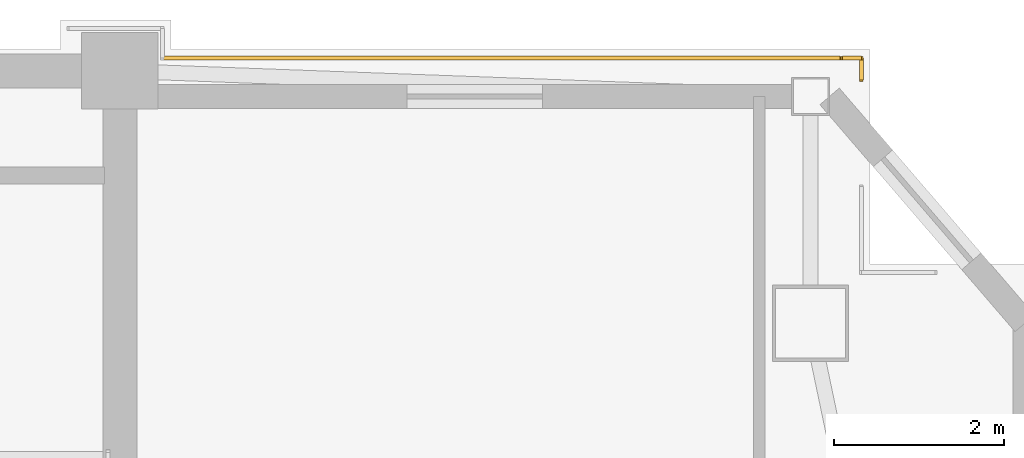
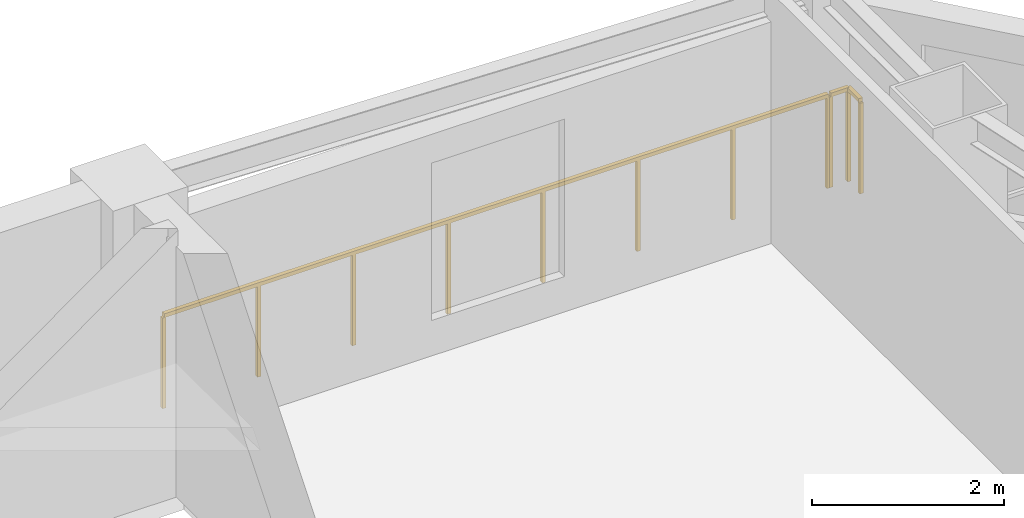
# One storey, part 16 of 16: 3 railings.
"""IFC4 building model written with IfcOpenShell, lengths in metres."""

from ifc_helpers import new_model, si_unit, direction, frame, origin, origin_2d, place, context, subcontext, project, spatial, rectangle, extrude, material, type_object, element, save


model = new_model("IFC4")

# Units and contexts
model_context = context("Model", 3, precision=1e-05, world=origin(), true_north=direction((0.0, 1.0)))
body_context = subcontext(model_context, "Body", "Model", "MODEL_VIEW")
ifc_project = project(units=[si_unit("LENGTHUNIT", "METRE"), si_unit("AREAUNIT", "SQUARE_METRE"), si_unit("VOLUMEUNIT", "CUBIC_METRE"), si_unit("PLANEANGLEUNIT", "RADIAN"), si_unit("MASSUNIT", "GRAM", prefix="KILO")], contexts=[model_context])

# Site, building, storey
site_placement = place(None, origin())
site = spatial("IfcSite", under=ifc_project, at=site_placement, CompositionType="ELEMENT")
building_placement = place(site_placement, origin())
building = spatial("IfcBuilding", under=site, at=building_placement, Name="Giltprow Tower", CompositionType="ELEMENT")
storey_placement = place(building_placement, frame((0.0, 0.0, 272.300048828125)))
storey = spatial("IfcBuildingStorey", under=building, at=storey_placement, Name="L70", CompositionType="ELEMENT", Elevation=272.300048828125)

# Railings
ifc_material = material(Name="Anodized bronze", Category="metal")
railing_type = type_object("IfcRailingType", Name="RAIL-BALC-GUARD-1200", PredefinedType="BALUSTRADE", material=ifc_material)
railing_1_placement = place(storey_placement, frame((51.050048828125, 46.699951171875, 0.0)))
element("IfcRailing", 1, at=railing_1_placement, inside=storey, type_object=railing_type, Name="L70 Corner Apron Edge Balustrade 24", PredefinedType="BALUSTRADE", context=body_context, shape_type="SweptSolid", body=[
    extrude(rectangle(XDim=0.048095703125, YDim=0.048095703125, at=origin_2d()), frame((0.0, 0.0, 1.17578125), z_axis=(1.0, 0.0, 0.0), x_axis=(0.0, 1.0, 0.0)), (0.0, 0.0, 1.0), 7.98388671875),
    extrude(rectangle(XDim=0.0419921875, YDim=0.0419921875, at=origin_2d()), origin(), (0.0, 0.0, 1.0), 1.15185546875),
    extrude(rectangle(XDim=0.0419921875, YDim=0.0419921875, at=origin_2d()), frame((1.140625, 0.0, 0.0)), (0.0, 0.0, 1.0), 1.15185546875),
    extrude(rectangle(XDim=0.0419921875, YDim=0.0419921875, at=origin_2d()), frame((2.281005859375, 0.0, 0.0)), (0.0, 0.0, 1.0), 1.15185546875),
    extrude(rectangle(XDim=0.0419921875, YDim=0.0419921875, at=origin_2d()), frame((3.421630859375, 0.0, 0.0)), (0.0, 0.0, 1.0), 1.15185546875),
    extrude(rectangle(XDim=0.0419921875, YDim=0.0419921875, at=origin_2d()), frame((4.562255859375, 0.0, 0.0)), (0.0, 0.0, 1.0), 1.15185546875),
    extrude(rectangle(XDim=0.0419921875, YDim=0.0419921875, at=origin_2d()), frame((5.702880859375, 0.0, 0.0)), (0.0, 0.0, 1.0), 1.15185546875),
    extrude(rectangle(XDim=0.0419921875, YDim=0.0419921875, at=origin_2d()), frame((6.84326171875, 0.0, 0.0)), (0.0, 0.0, 1.0), 1.15185546875),
    extrude(rectangle(XDim=0.0419921875, YDim=0.0419921875, at=origin_2d()), frame((7.98388671875, 0.0, 0.0)), (0.0, 0.0, 1.0), 1.15185546875),
])
railing_2_placement = place(storey_placement, frame((59.06298828125, 46.699951171875, 0.0)))
element("IfcRailing", 2, at=railing_2_placement, inside=storey, type_object=railing_type, Name="L70 Corner Apron Edge Balustrade 25", PredefinedType="BALUSTRADE", context=body_context, shape_type="SweptSolid", body=[
    extrude(rectangle(XDim=0.048095703125, YDim=0.048095703125, at=origin_2d()), frame((0.0, 0.0, 1.17578125), z_axis=(1.0, 0.0, 0.0), x_axis=(0.0, 1.0, 0.0)), (0.0, 0.0, 1.0), 0.219970703125),
    extrude(rectangle(XDim=0.0419921875, YDim=0.0419921875, at=origin_2d()), origin(), (0.0, 0.0, 1.0), 1.15185546875),
    extrude(rectangle(XDim=0.0419921875, YDim=0.0419921875, at=origin_2d()), frame((0.219970703125, 0.0, 0.0)), (0.0, 0.0, 1.0), 1.15185546875),
])
railing_3_placement = place(storey_placement, frame((59.282958984375, 46.699951171875, 0.0)))
element("IfcRailing", 3, at=railing_3_placement, inside=storey, type_object=railing_type, Name="L70 Corner Apron Edge Balustrade 26", PredefinedType="BALUSTRADE", context=body_context, shape_type="SweptSolid", body=[
    extrude(rectangle(XDim=0.048095703125, YDim=0.048095703125, at=origin_2d()), frame((0.0, 0.0, 1.17578125), z_axis=(0.0, -1.0, 0.0), x_axis=(1.0, 0.0, 0.0)), (0.0, 0.0, 1.0), 0.255859375),
    extrude(rectangle(XDim=0.0419921875, YDim=0.0419921875, at=origin_2d()), origin(), (0.0, 0.0, 1.0), 1.15185546875),
    extrude(rectangle(XDim=0.0419921875, YDim=0.0419921875, at=origin_2d()), frame((0.0, -0.255859375, 0.0)), (0.0, 0.0, 1.0), 1.15185546875),
])

save(model, "model.ifc")
